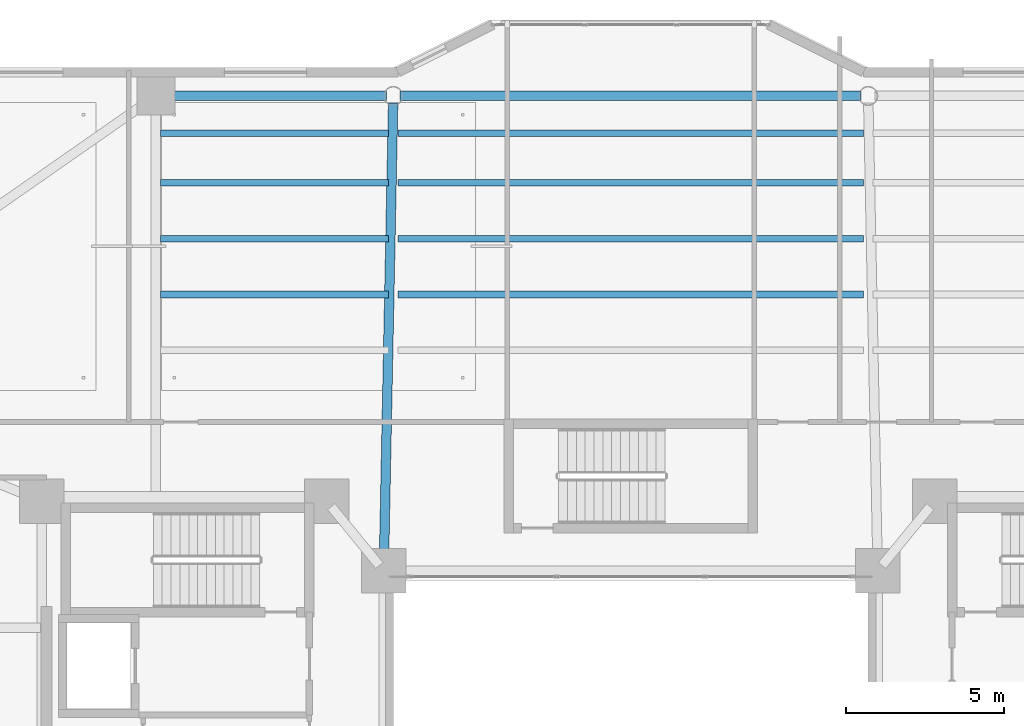
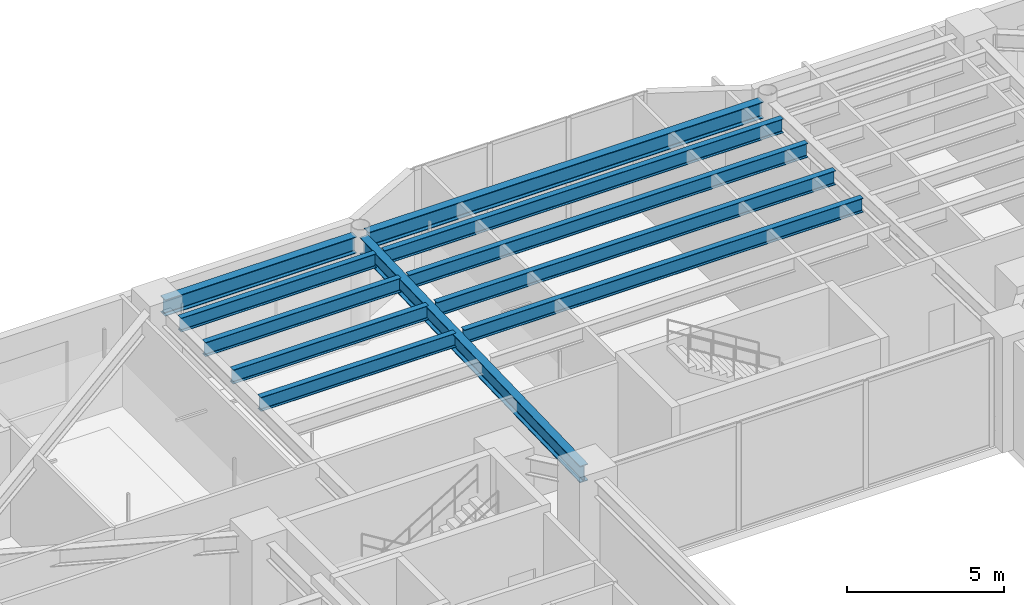
# One storey, part 22 of 40: 11 beams.
"""IFC4 building model written with IfcOpenShell, lengths in metres."""

from ifc_helpers import new_model, si_unit, direction, frame, origin, origin_2d, place, context, subcontext, project, spatial, i_section, extrude, material, material_profile, profile_set, type_object, element, save


model = new_model("IFC4")

# Units and contexts
model_context = context("Model", 3, precision=1e-05, world=origin(), true_north=direction((0.0, 1.0)))
body_context = subcontext(model_context, "Body", "Model", "MODEL_VIEW")
ifc_project = project(units=[si_unit("LENGTHUNIT", "METRE"), si_unit("AREAUNIT", "SQUARE_METRE"), si_unit("VOLUMEUNIT", "CUBIC_METRE"), si_unit("PLANEANGLEUNIT", "RADIAN"), si_unit("MASSUNIT", "GRAM", prefix="KILO")], contexts=[model_context])

# Site, building, storey
site_placement = place(None, origin())
site = spatial("IfcSite", under=ifc_project, at=site_placement, CompositionType="ELEMENT")
building_placement = place(site_placement, origin())
building = spatial("IfcBuilding", under=site, at=building_placement, Name="Tarnavaz Court Tower", CompositionType="ELEMENT")
storey_placement = place(building_placement, frame((0.0, 0.0, 64.199951171875)))
storey = spatial("IfcBuildingStorey", under=building, at=storey_placement, Name="L17", CompositionType="ELEMENT", Elevation=64.199951171875)

# Beams
ifc_material = material(Name="Steel S355", Category="steel")
ifc_material_profile_1 = material_profile(ifc_material, i_section(OverallWidth=0.300048828125, OverallDepth=0.64990234375, WebThickness=0.01611328125, FlangeThickness=0.031005859375, FilletRadius=0.027099609375, at=origin_2d()), Name="HEB 650")
ifc_profile_set_1 = profile_set([ifc_material_profile_1], Name="Steel S355")
beam_type_1 = type_object("IfcBeamType", Name="BM-G-HEB650", PredefinedType="USERDEFINED", material=ifc_profile_set_1)
beam_1_placement = place(storey_placement, frame((-7.795654296875, 8.02001953125, 3.875), z_axis=(0.020000023066, 0.999799979535, 0.0), x_axis=(-0.999799979535, 0.020000023066, 0.0)))
element("IfcBeam", 1, at=beam_1_placement, inside=storey, type_object=beam_type_1, Name="L17 Beam RG-02", ObjectType="GIRDER", PredefinedType="USERDEFINED", context=body_context, shape_type="SweptSolid", body=[
    extrude(i_section(OverallWidth=0.300048828125, OverallDepth=0.64990234375, WebThickness=0.01611328125, FlangeThickness=0.031005859375, FilletRadius=0.027099609375, at=origin_2d()), origin(), (0.0, 0.0, 1.0), 14.56298828125),
])
ifc_material_profile_2 = material_profile(ifc_material, i_section(OverallWidth=0.2099609375, OverallDepth=0.550048828125, WebThickness=0.010986328125, FlangeThickness=0.01708984375, FilletRadius=0.02392578125, at=origin_2d()), Name="IPE 550")
ifc_profile_set_2 = profile_set([ifc_material_profile_2], Name="Steel S355")
beam_type_2 = type_object("IfcBeamType", Name="BM-J-IPE550", PredefinedType="JOIST", material=ifc_profile_set_2)
beam_2_placement = place(storey_placement, frame((-14.85009765625, 16.528076171875, 3.925048828125), z_axis=(1.0, 0.0, 0.0), x_axis=(0.0, 1.0, 0.0)))
element("IfcBeam", 2, at=beam_2_placement, inside=storey, type_object=beam_type_2, Name="L17 Beam JN2-1", PredefinedType="JOIST", context=body_context, shape_type="SweptSolid", body=[
    extrude(i_section(OverallWidth=0.2099609375, OverallDepth=0.550048828125, WebThickness=0.010986328125, FlangeThickness=0.01708984375, FilletRadius=0.02392578125, at=origin_2d()), origin(), (0.0, 0.0, 1.0), 7.2001953125),
])
beam_3_placement = place(storey_placement, frame((-7.35009765625, 16.528076171875, 3.925048828125), z_axis=(1.0, 0.0, 0.0), x_axis=(0.0, 1.0, 0.0)))
element("IfcBeam", 3, at=beam_3_placement, inside=storey, type_object=beam_type_2, Name="L17 Beam JN2-2", PredefinedType="JOIST", context=body_context, shape_type="SweptSolid", body=[
    extrude(i_section(OverallWidth=0.2099609375, OverallDepth=0.550048828125, WebThickness=0.010986328125, FlangeThickness=0.01708984375, FilletRadius=0.02392578125, at=origin_2d()), origin(), (0.0, 0.0, 1.0), 14.7001953125),
])
beam_4_placement = place(storey_placement, frame((-14.85009765625, 18.2919921875, 3.925048828125), z_axis=(1.0, 0.0, 0.0), x_axis=(0.0, 1.0, 0.0)))
element("IfcBeam", 4, at=beam_4_placement, inside=storey, type_object=beam_type_2, Name="L17 Beam JN3-1", PredefinedType="JOIST", context=body_context, shape_type="SweptSolid", body=[
    extrude(i_section(OverallWidth=0.2099609375, OverallDepth=0.550048828125, WebThickness=0.010986328125, FlangeThickness=0.01708984375, FilletRadius=0.02392578125, at=origin_2d()), origin(), (0.0, 0.0, 1.0), 7.2001953125),
])
beam_5_placement = place(storey_placement, frame((-7.35009765625, 18.2919921875, 3.925048828125), z_axis=(1.0, 0.0, 0.0), x_axis=(0.0, 1.0, 0.0)))
element("IfcBeam", 5, at=beam_5_placement, inside=storey, type_object=beam_type_2, Name="L17 Beam JN3-2", PredefinedType="JOIST", context=body_context, shape_type="SweptSolid", body=[
    extrude(i_section(OverallWidth=0.2099609375, OverallDepth=0.550048828125, WebThickness=0.010986328125, FlangeThickness=0.01708984375, FilletRadius=0.02392578125, at=origin_2d()), origin(), (0.0, 0.0, 1.0), 14.7001953125),
])
beam_6_placement = place(storey_placement, frame((-14.85009765625, 20.055908203125, 3.925048828125), z_axis=(1.0, 0.0, 0.0), x_axis=(0.0, 1.0, 0.0)))
element("IfcBeam", 6, at=beam_6_placement, inside=storey, type_object=beam_type_2, Name="L17 Beam JN4-1", PredefinedType="JOIST", context=body_context, shape_type="SweptSolid", body=[
    extrude(i_section(OverallWidth=0.2099609375, OverallDepth=0.550048828125, WebThickness=0.010986328125, FlangeThickness=0.01708984375, FilletRadius=0.02392578125, at=origin_2d()), origin(), (0.0, 0.0, 1.0), 7.2001953125),
])
beam_7_placement = place(storey_placement, frame((-7.35009765625, 20.055908203125, 3.925048828125), z_axis=(1.0, 0.0, 0.0), x_axis=(0.0, 1.0, 0.0)))
element("IfcBeam", 7, at=beam_7_placement, inside=storey, type_object=beam_type_2, Name="L17 Beam JN4-2", PredefinedType="JOIST", context=body_context, shape_type="SweptSolid", body=[
    extrude(i_section(OverallWidth=0.2099609375, OverallDepth=0.550048828125, WebThickness=0.010986328125, FlangeThickness=0.01708984375, FilletRadius=0.02392578125, at=origin_2d()), origin(), (0.0, 0.0, 1.0), 14.7001953125),
])
beam_8_placement = place(storey_placement, frame((-14.85009765625, 21.6240234375, 3.925048828125), z_axis=(1.0, 0.0, 0.0), x_axis=(0.0, 1.0, 0.0)))
element("IfcBeam", 8, at=beam_8_placement, inside=storey, type_object=beam_type_2, Name="L17 Beam JN5-1", PredefinedType="JOIST", context=body_context, shape_type="SweptSolid", body=[
    extrude(i_section(OverallWidth=0.2099609375, OverallDepth=0.550048828125, WebThickness=0.010986328125, FlangeThickness=0.01708984375, FilletRadius=0.02392578125, at=origin_2d()), origin(), (0.0, 0.0, 1.0), 7.2001953125),
])
beam_9_placement = place(storey_placement, frame((-7.35009765625, 21.6240234375, 3.925048828125), z_axis=(1.0, 0.0, 0.0), x_axis=(0.0, 1.0, 0.0)))
element("IfcBeam", 9, at=beam_9_placement, inside=storey, type_object=beam_type_2, Name="L17 Beam JN5-2", PredefinedType="JOIST", context=body_context, shape_type="SweptSolid", body=[
    extrude(i_section(OverallWidth=0.2099609375, OverallDepth=0.550048828125, WebThickness=0.010986328125, FlangeThickness=0.01708984375, FilletRadius=0.02392578125, at=origin_2d()), origin(), (0.0, 0.0, 1.0), 14.7001953125),
])
ifc_material_profile_3 = material_profile(ifc_material, i_section(OverallWidth=0.300048828125, OverallDepth=0.639892578125, WebThickness=0.013427734375, FlangeThickness=0.02587890625, FilletRadius=0.027099609375, at=origin_2d()), Name="HEA 650")
ifc_profile_set_3 = profile_set([ifc_material_profile_3], Name="Steel S355")
beam_type_3 = type_object("IfcBeamType", Name="BM-SP-HEA650", PredefinedType="SPANDREL", material=ifc_profile_set_3)
beam_10_placement = place(storey_placement, frame((-14.780029296875, 22.800048828125, 3.880126953125), z_axis=(1.0, 0.0, 0.0), x_axis=(0.0, 1.0, 0.0)))
element("IfcBeam", 10, at=beam_10_placement, inside=storey, type_object=beam_type_3, Name="L17 Beam PR-PN-1-PN-2", PredefinedType="SPANDREL", context=body_context, shape_type="SweptSolid", body=[
    extrude(i_section(OverallWidth=0.300048828125, OverallDepth=0.639892578125, WebThickness=0.013427734375, FlangeThickness=0.02587890625, FilletRadius=0.027099609375, at=origin_2d()), origin(), (0.0, 0.0, 1.0), 7.06005859375),
])
beam_11_placement = place(storey_placement, frame((-7.280029296875, 22.800048828125, 3.880126953125), z_axis=(1.0, 0.0, 0.0), x_axis=(0.0, 1.0, 0.0)))
element("IfcBeam", 11, at=beam_11_placement, inside=storey, type_object=beam_type_3, Name="L17 Beam PR-PN-2-PN-3", PredefinedType="SPANDREL", context=body_context, shape_type="SweptSolid", body=[
    extrude(i_section(OverallWidth=0.300048828125, OverallDepth=0.639892578125, WebThickness=0.013427734375, FlangeThickness=0.02587890625, FilletRadius=0.027099609375, at=origin_2d()), origin(), (0.0, 0.0, 1.0), 14.56005859375),
])

save(model, "model.ifc")
